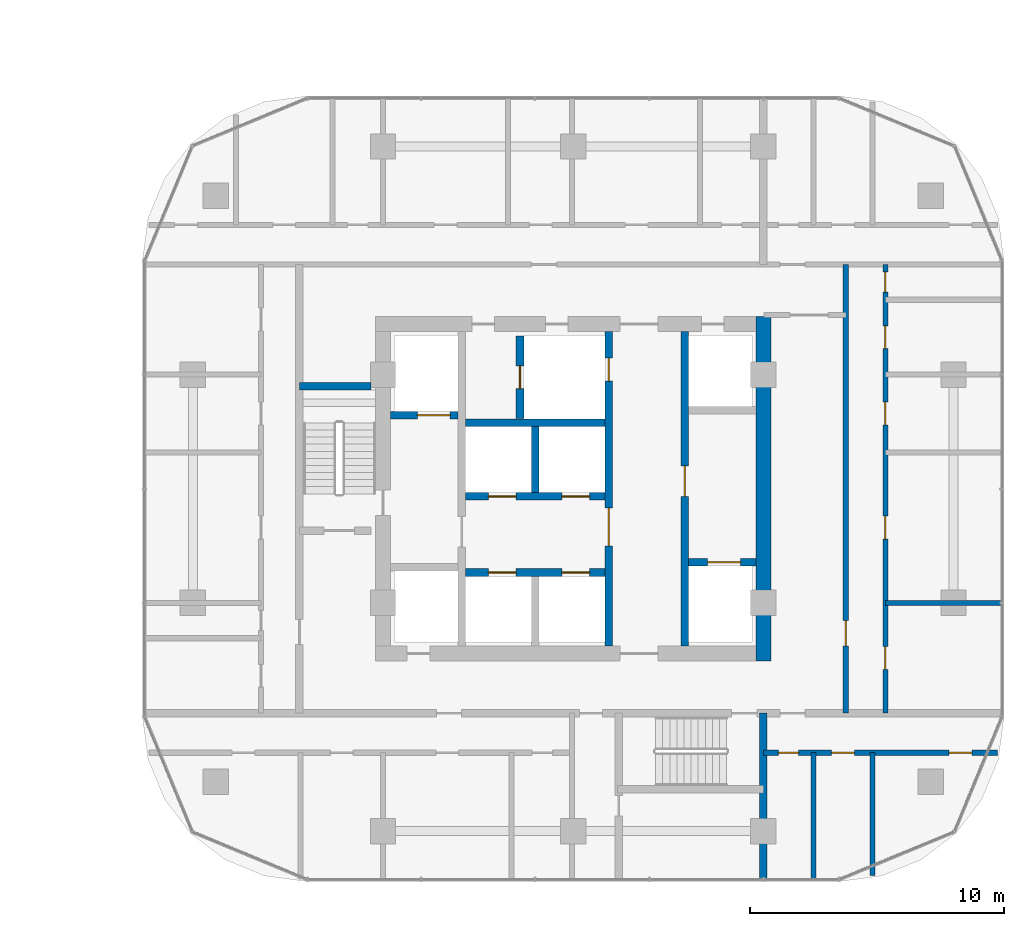
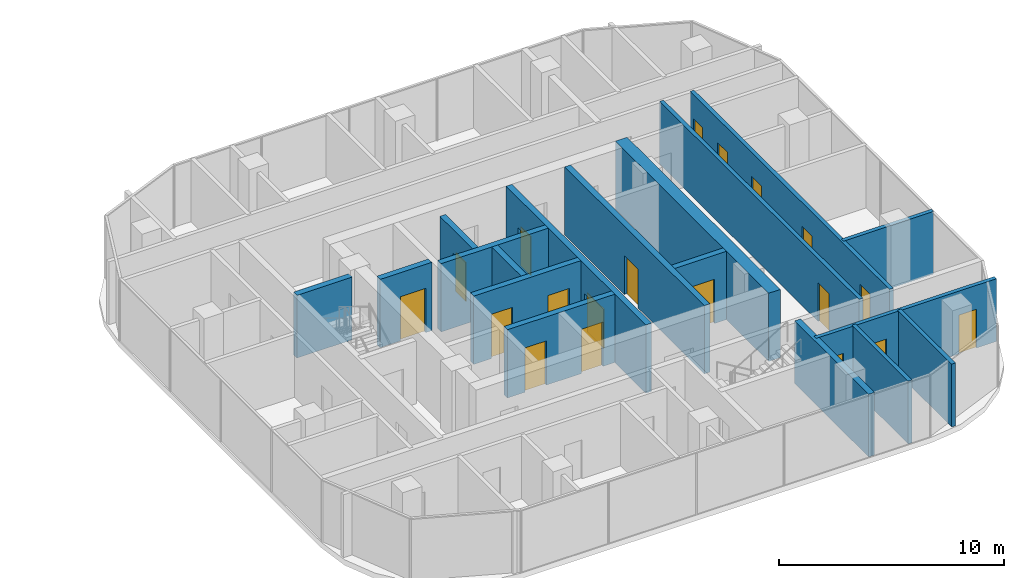
# One storey, part 22 of 32: 19 doors, 18 walls, 19 openings.
"""IFC4 building model written with IfcOpenShell, lengths in metres."""

from ifc_helpers import new_model, si_unit, direction, frame, frame_2d, origin, place, context, subcontext, project, spatial, rectangle, extrude, material, layer, layer_set, type_object, element, fill, save


model = new_model("IFC4")

# Units and contexts
model_context = context("Model", 3, precision=1e-05, world=origin(), true_north=direction((0.0, 1.0)))
body_context = subcontext(model_context, "Body", "Model", "MODEL_VIEW")
ifc_project = project(units=[si_unit("LENGTHUNIT", "METRE"), si_unit("AREAUNIT", "SQUARE_METRE"), si_unit("VOLUMEUNIT", "CUBIC_METRE"), si_unit("PLANEANGLEUNIT", "RADIAN"), si_unit("MASSUNIT", "GRAM", prefix="KILO")], contexts=[model_context])

# Site, building, storey
site_placement = place(None, origin())
site = spatial("IfcSite", under=ifc_project, at=site_placement, CompositionType="ELEMENT")
building_placement = place(site_placement, origin())
building = spatial("IfcBuilding", under=site, at=building_placement, Name="Ogive Portal Towers", CompositionType="ELEMENT")
storey_placement = place(building_placement, frame((0.0, 0.0, 55.699951171875)))
storey = spatial("IfcBuildingStorey", under=building, at=storey_placement, Name="L12", CompositionType="ELEMENT", Elevation=55.699951171875)

# Wall, openings, doors
ifc_material_1 = material(Name="Concrete C60/75", Category="concrete")
ifc_layer_1 = layer(ifc_material_1, 0.300048828125)
ifc_layer_set_1 = layer_set([ifc_layer_1], Name="CORE WALL 300 C60")
wall_type_1 = type_object("IfcWallType", Name="CORE WALL 300 C60", PredefinedType="SHEAR", material=ifc_layer_set_1)
wall_1_placement = place(storey_placement, frame((137.89990234375, 24.800048828125, 0.0), z_axis=(0.0, 0.0, 1.0), x_axis=(0.0, 1.0, 0.0)))
wall_1 = element("IfcWall", 1, at=wall_1_placement, inside=storey, type_object=wall_type_1, Name="Tower B core wall BX2 L12", PredefinedType="SHEAR", context=body_context, shape_type="SweptSolid", body=[
    extrude(rectangle(XDim=12.39990234375, YDim=0.300048828125, at=frame_2d((6.199951171875, 0.0))), origin(), (0.0, 0.0, 1.0), 3.699951171875),
])
opening_1_placement = place(wall_1_placement, frame((3.949951171875, 0.0, 0.0)))
opening_1 = element("IfcOpeningElement", 2, at=opening_1_placement, cuts=wall_1, Name="Opening B03-040", PredefinedType="OPENING", context=body_context, shape_type="SweptSolid", body=[
    extrude(rectangle(XDim=1.5, YDim=2.10009765625, at=frame_2d((0.75, 1.050048828125))), frame((0.0, 0.16015625, 0.0), z_axis=(0.0, -1.0, 0.0), x_axis=(1.0, 0.0, 0.0)), (0.0, 0.0, 1.0), 0.320068359375),
])
opening_2_placement = place(wall_1_placement, frame((10.449951171875, 0.0, 0.0)))
opening_2 = element("IfcOpeningElement", 3, at=opening_2_placement, cuts=wall_1, Name="Opening B03-056", PredefinedType="OPENING", context=body_context, shape_type="SweptSolid", body=[
    extrude(rectangle(XDim=0.89990234375, YDim=2.10009765625, at=frame_2d((0.449951171875, 1.050048828125))), frame((0.0, 0.16015625, 0.0), z_axis=(0.0, -1.0, 0.0), x_axis=(1.0, 0.0, 0.0)), (0.0, 0.0, 1.0), 0.320068359375),
])
ifc_material_2 = material(Name="Steel fire door", Category="steel")
door_type_1 = type_object("IfcDoorType", Name="DT-SWING-1500x2100-FD90S", OperationType="SINGLE_SWING_LEFT", PredefinedType="DOOR", material=ifc_material_2)
door_1_placement = place(opening_1_placement, origin())
door_1 = element("IfcDoor", 4, at=door_1_placement, inside=storey, type_object=door_type_1, Name="Door B03-040", OperationType="SINGLE_SWING_RIGHT", OverallHeight=2.10009765625, OverallWidth=1.5, PredefinedType="DOOR", context=body_context, shape_type="SweptSolid", body=[
    extrude(rectangle(XDim=1.5, YDim=2.10009765625, at=frame_2d((0.75, 1.050048828125))), frame((0.0, 0.02490234375, 0.0), z_axis=(0.0, -1.0, 0.0), x_axis=(1.0, 0.0, 0.0)), (0.0, 0.0, 1.0), 0.050048828125),
])
fill(opening_1, door_1)
door_type_2 = type_object("IfcDoorType", Name="DT-SWING-900x2100-FD90S", OperationType="SINGLE_SWING_LEFT", PredefinedType="DOOR", material=ifc_material_2)
door_2_placement = place(opening_2_placement, origin())
door_2 = element("IfcDoor", 5, at=door_2_placement, inside=storey, type_object=door_type_2, Name="Riser access door B03-056", OperationType="SINGLE_SWING_RIGHT", OverallHeight=2.10009765625, OverallWidth=0.89990234375, PredefinedType="DOOR", context=body_context, shape_type="SweptSolid", body=[
    extrude(rectangle(XDim=0.89990234375, YDim=2.10009765625, at=frame_2d((0.449951171875, 1.050048828125))), frame((0.0, 0.02490234375, 0.0), z_axis=(0.0, -1.0, 0.0), x_axis=(1.0, 0.0, 0.0)), (0.0, 0.0, 1.0), 0.050048828125),
])
fill(opening_2, door_2)

# Wall, opening, door
wall_2_placement = place(storey_placement, frame((140.89990234375, 24.800048828125, 0.0), z_axis=(0.0, 0.0, 1.0), x_axis=(0.0, 1.0, 0.0)))
wall_2 = element("IfcWall", 6, at=wall_2_placement, inside=storey, type_object=wall_type_1, Name="Tower B core wall BX3 L12", PredefinedType="SHEAR", context=body_context, shape_type="SweptSolid", body=[
    extrude(rectangle(XDim=12.39990234375, YDim=0.300048828125, at=frame_2d((6.199951171875, 0.0))), origin(), (0.0, 0.0, 1.0), 3.699951171875),
])
opening_3_placement = place(wall_2_placement, frame((5.89990234375, 0.0, 0.0)))
opening_3 = element("IfcOpeningElement", 7, at=opening_3_placement, cuts=wall_2, Name="Opening B03-042", PredefinedType="OPENING", context=body_context, shape_type="SweptSolid", body=[
    extrude(rectangle(XDim=1.199951171875, YDim=2.10009765625, at=frame_2d((0.60009765625, 1.050048828125))), frame((0.0, 0.16015625, 0.0), z_axis=(0.0, -1.0, 0.0), x_axis=(1.0, 0.0, 0.0)), (0.0, 0.0, 1.0), 0.320068359375),
])
door_type_3 = type_object("IfcDoorType", Name="DT-SWING-1200x2100-FD90S", OperationType="SINGLE_SWING_LEFT", PredefinedType="DOOR", material=ifc_material_2)
door_3_placement = place(opening_3_placement, origin())
door_3 = element("IfcDoor", 8, at=door_3_placement, inside=storey, type_object=door_type_3, Name="Door B03-042", OperationType="SINGLE_SWING_RIGHT", OverallHeight=2.10009765625, OverallWidth=1.199951171875, PredefinedType="DOOR", context=body_context, shape_type="SweptSolid", body=[
    extrude(rectangle(XDim=1.199951171875, YDim=2.10009765625, at=frame_2d((0.60009765625, 1.050048828125))), frame((0.0, 0.02490234375, 0.0), z_axis=(0.0, -1.0, 0.0), x_axis=(1.0, 0.0, 0.0)), (0.0, 0.0, 1.0), 0.050048828125),
])
fill(opening_3, door_3)

# Wall
wall_3_placement = place(storey_placement, frame((135.0, 30.85009765625, 0.0), z_axis=(0.0, 0.0, 1.0), x_axis=(0.0, 1.0, 0.0)))
element("IfcWall", 9, at=wall_3_placement, inside=storey, type_object=wall_type_1, Name="Tower B core wall BX5 L12", PredefinedType="SHEAR", context=body_context, shape_type="SweptSolid", body=[
    extrude(rectangle(XDim=2.599853515625, YDim=0.300048828125, at=frame_2d((1.2998046875, 0.0))), origin(), (0.0, 0.0, 1.0), 3.699951171875),
])

# Wall, openings, doors
wall_4_placement = place(storey_placement, frame((132.25, 27.699951171875, 0.0), z_axis=(0.0, 0.0, 1.0), x_axis=(1.0, 0.0, 0.0)))
wall_4 = element("IfcWall", 10, at=wall_4_placement, inside=storey, type_object=wall_type_1, Name="Tower B core wall BY1 L12", PredefinedType="SHEAR", context=body_context, shape_type="SweptSolid", body=[
    extrude(rectangle(XDim=5.5, YDim=0.300048828125, at=frame_2d((2.75, 0.0))), origin(), (0.0, 0.0, 1.0), 3.699951171875),
])
opening_4_placement = place(wall_4_placement, frame((0.89990234375, 0.0, 0.0)))
opening_4 = element("IfcOpeningElement", 11, at=opening_4_placement, cuts=wall_4, Name="Opening B03-048", PredefinedType="OPENING", context=body_context, shape_type="SweptSolid", body=[
    extrude(rectangle(XDim=1.10009765625, YDim=2.39990234375, at=frame_2d((0.550048828125, 1.199951171875))), frame((0.0, 0.16015625, 0.0), z_axis=(0.0, -1.0, 0.0), x_axis=(1.0, 0.0, 0.0)), (0.0, 0.0, 1.0), 0.320068359375),
])
opening_5_placement = place(wall_4_placement, frame((3.800048828125, 0.0, 0.0)))
opening_5 = element("IfcOpeningElement", 12, at=opening_5_placement, cuts=wall_4, Name="Opening B03-049", PredefinedType="OPENING", context=body_context, shape_type="SweptSolid", body=[
    extrude(rectangle(XDim=1.10009765625, YDim=2.39990234375, at=frame_2d((0.550048828125, 1.199951171875))), frame((0.0, 0.16015625, 0.0), z_axis=(0.0, -1.0, 0.0), x_axis=(1.0, 0.0, 0.0)), (0.0, 0.0, 1.0), 0.320068359375),
])
ifc_material_3 = material(Name="Stainless steel", Category="steel")
door_type_4 = type_object("IfcDoorType", Name="DT-LD-1100x2400", OperationType="SLIDING_TO_LEFT", PredefinedType="DOOR", material=ifc_material_3)
door_4_placement = place(opening_4_placement, origin())
door_4 = element("IfcDoor", 13, at=door_4_placement, inside=storey, type_object=door_type_4, Name="Door B03-048", OperationType="SLIDING_TO_LEFT", OverallHeight=2.39990234375, OverallWidth=1.10009765625, PredefinedType="DOOR", context=body_context, shape_type="SweptSolid", body=[
    extrude(rectangle(XDim=1.10009765625, YDim=2.39990234375, at=frame_2d((0.550048828125, 1.199951171875))), frame((0.0, 0.02490234375, 0.0), z_axis=(0.0, -1.0, 0.0), x_axis=(1.0, 0.0, 0.0)), (0.0, 0.0, 1.0), 0.050048828125),
])
fill(opening_4, door_4)
door_5_placement = place(opening_5_placement, origin())
door_5 = element("IfcDoor", 14, at=door_5_placement, inside=storey, type_object=door_type_4, Name="Door B03-049", OperationType="SLIDING_TO_LEFT", OverallHeight=2.39990234375, OverallWidth=1.10009765625, PredefinedType="DOOR", context=body_context, shape_type="SweptSolid", body=[
    extrude(rectangle(XDim=1.10009765625, YDim=2.39990234375, at=frame_2d((0.550048828125, 1.199951171875))), frame((0.0, 0.02490234375, 0.0), z_axis=(0.0, -1.0, 0.0), x_axis=(1.0, 0.0, 0.0)), (0.0, 0.0, 1.0), 0.050048828125),
])
fill(opening_5, door_5)

wall_5_placement = place(storey_placement, frame((132.25, 30.699951171875, 0.0), z_axis=(0.0, 0.0, 1.0), x_axis=(1.0, 0.0, 0.0)))
wall_5 = element("IfcWall", 15, at=wall_5_placement, inside=storey, type_object=wall_type_1, Name="Tower B core wall BY2 L12", PredefinedType="SHEAR", context=body_context, shape_type="SweptSolid", body=[
    extrude(rectangle(XDim=5.5, YDim=0.300048828125, at=frame_2d((2.75, 0.0))), origin(), (0.0, 0.0, 1.0), 3.699951171875),
])
opening_6_placement = place(wall_5_placement, frame((0.89990234375, 0.0, 0.0)))
opening_6 = element("IfcOpeningElement", 16, at=opening_6_placement, cuts=wall_5, Name="Opening B03-050", PredefinedType="OPENING", context=body_context, shape_type="SweptSolid", body=[
    extrude(rectangle(XDim=1.10009765625, YDim=2.39990234375, at=frame_2d((0.550048828125, 1.199951171875))), frame((0.0, 0.16015625, 0.0), z_axis=(0.0, -1.0, 0.0), x_axis=(1.0, 0.0, 0.0)), (0.0, 0.0, 1.0), 0.320068359375),
])
opening_7_placement = place(wall_5_placement, frame((3.800048828125, 0.0, 0.0)))
opening_7 = element("IfcOpeningElement", 17, at=opening_7_placement, cuts=wall_5, Name="Opening B03-051", PredefinedType="OPENING", context=body_context, shape_type="SweptSolid", body=[
    extrude(rectangle(XDim=1.10009765625, YDim=2.39990234375, at=frame_2d((0.550048828125, 1.199951171875))), frame((0.0, 0.16015625, 0.0), z_axis=(0.0, -1.0, 0.0), x_axis=(1.0, 0.0, 0.0)), (0.0, 0.0, 1.0), 0.320068359375),
])
door_6_placement = place(opening_6_placement, origin())
door_6 = element("IfcDoor", 18, at=door_6_placement, inside=storey, type_object=door_type_4, Name="Door B03-050", OperationType="SLIDING_TO_LEFT", OverallHeight=2.39990234375, OverallWidth=1.10009765625, PredefinedType="DOOR", context=body_context, shape_type="SweptSolid", body=[
    extrude(rectangle(XDim=1.10009765625, YDim=2.39990234375, at=frame_2d((0.550048828125, 1.199951171875))), frame((0.0, 0.02490234375, 0.0), z_axis=(0.0, -1.0, 0.0), x_axis=(1.0, 0.0, 0.0)), (0.0, 0.0, 1.0), 0.050048828125),
])
fill(opening_6, door_6)
door_7_placement = place(opening_7_placement, origin())
door_7 = element("IfcDoor", 19, at=door_7_placement, inside=storey, type_object=door_type_4, Name="Door B03-051", OperationType="SLIDING_TO_LEFT", OverallHeight=2.39990234375, OverallWidth=1.10009765625, PredefinedType="DOOR", context=body_context, shape_type="SweptSolid", body=[
    extrude(rectangle(XDim=1.10009765625, YDim=2.39990234375, at=frame_2d((0.550048828125, 1.199951171875))), frame((0.0, 0.02490234375, 0.0), z_axis=(0.0, -1.0, 0.0), x_axis=(1.0, 0.0, 0.0)), (0.0, 0.0, 1.0), 0.050048828125),
])
fill(opening_7, door_7)

# Wall
wall_6_placement = place(storey_placement, frame((132.25, 33.60009765625, 0.0), z_axis=(0.0, 0.0, 1.0), x_axis=(1.0, 0.0, 0.0)))
element("IfcWall", 20, at=wall_6_placement, inside=storey, type_object=wall_type_1, Name="Tower B core wall BY3 L12", PredefinedType="SHEAR", context=body_context, shape_type="SweptSolid", body=[
    extrude(rectangle(XDim=5.5, YDim=0.300048828125, at=frame_2d((2.75, 0.0))), origin(), (0.0, 0.0, 1.0), 3.699951171875),
])

# Wall, opening, door
wall_7_placement = place(storey_placement, frame((129.300048828125, 33.89990234375, 0.0), z_axis=(0.0, 0.0, 1.0), x_axis=(1.0, 0.0, 0.0)))
wall_7 = element("IfcWall", 21, at=wall_7_placement, inside=storey, type_object=wall_type_1, Name="Tower B core wall BY5 L12", PredefinedType="SHEAR", context=body_context, shape_type="SweptSolid", body=[
    extrude(rectangle(XDim=2.64990234375, YDim=0.300048828125, at=frame_2d((1.324951171875, 0.0))), origin(), (0.0, 0.0, 1.0), 3.699951171875),
])
opening_8_placement = place(wall_7_placement, frame((1.050048828125, 0.0, 0.0)))
opening_8 = element("IfcOpeningElement", 22, at=opening_8_placement, cuts=wall_7, Name="Opening B03-052", PredefinedType="OPENING", context=body_context, shape_type="SweptSolid", body=[
    extrude(rectangle(XDim=1.300048828125, YDim=2.39990234375, at=frame_2d((0.64990234375, 1.199951171875))), frame((0.0, 0.16015625, 0.0), z_axis=(0.0, -1.0, 0.0), x_axis=(1.0, 0.0, 0.0)), (0.0, 0.0, 1.0), 0.320068359375),
])
door_type_5 = type_object("IfcDoorType", Name="DT-LD-1300x2400", OperationType="SLIDING_TO_LEFT", PredefinedType="DOOR", material=ifc_material_3)
door_8_placement = place(opening_8_placement, origin())
door_8 = element("IfcDoor", 23, at=door_8_placement, inside=storey, type_object=door_type_5, Name="Door B03-052", OperationType="SLIDING_TO_LEFT", OverallHeight=2.39990234375, OverallWidth=1.300048828125, PredefinedType="DOOR", context=body_context, shape_type="SweptSolid", body=[
    extrude(rectangle(XDim=1.300048828125, YDim=2.39990234375, at=frame_2d((0.64990234375, 1.199951171875))), frame((0.0, 0.02490234375, 0.0), z_axis=(0.0, -1.0, 0.0), x_axis=(1.0, 0.0, 0.0)), (0.0, 0.0, 1.0), 0.050048828125),
])
fill(opening_8, door_8)

wall_8_placement = place(storey_placement, frame((141.050048828125, 28.10009765625, 0.0), z_axis=(0.0, 0.0, 1.0), x_axis=(1.0, 0.0, 0.0)))
wall_8 = element("IfcWall", 24, at=wall_8_placement, inside=storey, type_object=wall_type_1, Name="Tower B core wall BY6 L12", PredefinedType="SHEAR", context=body_context, shape_type="SweptSolid", body=[
    extrude(rectangle(XDim=2.64990234375, YDim=0.300048828125, at=frame_2d((1.324951171875, 0.0))), origin(), (0.0, 0.0, 1.0), 3.699951171875),
])
opening_9_placement = place(wall_8_placement, frame((0.75, 0.0, 0.0)))
opening_9 = element("IfcOpeningElement", 25, at=opening_9_placement, cuts=wall_8, Name="Opening B03-053", PredefinedType="OPENING", context=body_context, shape_type="SweptSolid", body=[
    extrude(rectangle(XDim=1.300048828125, YDim=2.39990234375, at=frame_2d((0.64990234375, 1.199951171875))), frame((0.0, 0.16015625, 0.0), z_axis=(0.0, -1.0, 0.0), x_axis=(1.0, 0.0, 0.0)), (0.0, 0.0, 1.0), 0.320068359375),
])
door_9_placement = place(opening_9_placement, origin())
door_9 = element("IfcDoor", 26, at=door_9_placement, inside=storey, type_object=door_type_5, Name="Door B03-053", OperationType="SLIDING_TO_LEFT", OverallHeight=2.39990234375, OverallWidth=1.300048828125, PredefinedType="DOOR", context=body_context, shape_type="SweptSolid", body=[
    extrude(rectangle(XDim=1.300048828125, YDim=2.39990234375, at=frame_2d((0.64990234375, 1.199951171875))), frame((0.0, 0.02490234375, 0.0), z_axis=(0.0, -1.0, 0.0), x_axis=(1.0, 0.0, 0.0)), (0.0, 0.0, 1.0), 0.050048828125),
])
fill(opening_9, door_9)

# Walls
ifc_layer_2 = layer(ifc_material_1, 0.60009765625)
ifc_layer_set_2 = layer_set([ifc_layer_2], Name="CORE WALL 600 C60")
wall_type_2 = type_object("IfcWallType", Name="CORE WALL 600 C60", PredefinedType="SHEAR", material=ifc_layer_set_2)
wall_9_placement = place(storey_placement, frame((144.0, 24.199951171875, 0.0), z_axis=(0.0, 0.0, 1.0), x_axis=(0.0, 1.0, 0.0)))
element("IfcWall", 27, at=wall_9_placement, inside=storey, type_object=wall_type_2, Name="Tower B core wall BE L12", PredefinedType="SHEAR", context=body_context, shape_type="SweptSolid", body=[
    extrude(rectangle(XDim=13.60009765625, YDim=0.60009765625, at=frame_2d((6.800048828125, 0.0))), origin(), (0.0, 0.0, 1.0), 3.699951171875),
])
ifc_material_4 = material(Name="Concrete C50/60", Category="concrete")
ifc_layer_3 = layer(ifc_material_4, 0.300048828125)
ifc_layer_set_3 = layer_set([ifc_layer_3], Name="STAIR WALL 300 C50")
wall_type_3 = type_object("IfcWallType", Name="STAIR WALL 300 C50", PredefinedType="SHEAR", material=ifc_layer_set_3)
wall_10_placement = place(storey_placement, frame((125.699951171875, 35.050048828125, 0.0), z_axis=(0.0, 0.0, 1.0), x_axis=(1.0, 0.0, 0.0)))
element("IfcWall", 28, at=wall_10_placement, inside=storey, type_object=wall_type_3, Name="Stair wall ST-B1 L12", PredefinedType="SHEAR", context=body_context, shape_type="SweptSolid", body=[
    extrude(rectangle(XDim=2.830078125, YDim=0.300048828125, at=frame_2d((1.4150390625, 0.0))), origin(), (0.0, 0.0, 1.0), 3.400146484375),
])
wall_11_placement = place(storey_placement, frame((144.0, 15.580078125, 0.0), z_axis=(0.0, 0.0, 1.0), x_axis=(0.0, 1.0, 0.0)))
element("IfcWall", 29, at=wall_11_placement, inside=storey, type_object=wall_type_3, Name="Stair wall ST-B2 L12", PredefinedType="SHEAR", context=body_context, shape_type="SweptSolid", body=[
    extrude(rectangle(XDim=6.56982421875, YDim=0.300048828125, at=frame_2d((3.284912109375, 0.0))), origin(), (0.0, 0.0, 1.0), 3.400146484375),
])

# Wall, openings, doors
ifc_material_5 = material(Name="Gypsum board partition on steel studs", Category="steel")
ifc_layer_4 = layer(ifc_material_5, 0.199951171875)
ifc_layer_set_4 = layer_set([ifc_layer_4], Name="WT-PART-200-EI 60")
wall_type_4 = type_object("IfcWallType", Name="WT-PART-200-EI 60", PredefinedType="PARTITIONING", material=ifc_layer_set_4)
wall_12_placement = place(storey_placement, frame((144.0, 20.590087890625, 0.0), z_axis=(0.0, 0.0, 1.0), x_axis=(1.0, 0.0, 0.0)))
wall_12 = element("IfcWall", 30, at=wall_12_placement, inside=storey, type_object=wall_type_4, Name="Wall L12:w003", PredefinedType="PARTITIONING", context=body_context, shape_type="SweptSolid", body=[
    extrude(rectangle(XDim=9.23388671875, YDim=0.199951171875, at=frame_2d((4.616943359375, 0.0))), origin(), (0.0, 0.0, 1.0), 3.400146484375),
])
opening_10_placement = place(wall_12_placement, frame((0.5869140625, 0.0, 0.0)))
opening_10 = element("IfcOpeningElement", 31, at=opening_10_placement, cuts=wall_12, Name="Opening B03-023", PredefinedType="OPENING", context=body_context, shape_type="SweptSolid", body=[
    extrude(rectangle(XDim=0.800048828125, YDim=2.10009765625, at=frame_2d((0.39990234375, 1.050048828125))), frame((0.0, 0.10986328125, 0.0), z_axis=(0.0, -1.0, 0.0), x_axis=(1.0, 0.0, 0.0)), (0.0, 0.0, 1.0), 0.219970703125),
])
opening_11_placement = place(wall_12_placement, frame((2.68896484375, 0.0, 0.0)))
opening_11 = element("IfcOpeningElement", 32, at=opening_11_placement, cuts=wall_12, Name="Opening B03-024", PredefinedType="OPENING", context=body_context, shape_type="SweptSolid", body=[
    extrude(rectangle(XDim=0.89990234375, YDim=2.10009765625, at=frame_2d((0.449951171875, 1.050048828125))), frame((0.0, 0.10986328125, 0.0), z_axis=(0.0, -1.0, 0.0), x_axis=(1.0, 0.0, 0.0)), (0.0, 0.0, 1.0), 0.219970703125),
])
opening_12_placement = place(wall_12_placement, frame((7.322021484375, 0.0, 0.0)))
opening_12 = element("IfcOpeningElement", 33, at=opening_12_placement, cuts=wall_12, Name="Opening B03-025", PredefinedType="OPENING", context=body_context, shape_type="SweptSolid", body=[
    extrude(rectangle(XDim=0.89990234375, YDim=2.10009765625, at=frame_2d((0.449951171875, 1.050048828125))), frame((0.0, 0.10986328125, 0.0), z_axis=(0.0, -1.0, 0.0), x_axis=(1.0, 0.0, 0.0)), (0.0, 0.0, 1.0), 0.219970703125),
])
door_type_6 = type_object("IfcDoorType", Name="DT-SWING-800x2100-FD60S", OperationType="SINGLE_SWING_LEFT", PredefinedType="DOOR", material=ifc_material_2)
door_10_placement = place(opening_10_placement, origin())
door_10 = element("IfcDoor", 34, at=door_10_placement, inside=storey, type_object=door_type_6, Name="Door B03-023", OperationType="SINGLE_SWING_LEFT", OverallHeight=2.10009765625, OverallWidth=0.800048828125, PredefinedType="DOOR", context=body_context, shape_type="SweptSolid", body=[
    extrude(rectangle(XDim=0.800048828125, YDim=2.10009765625, at=frame_2d((0.39990234375, 1.050048828125))), frame((0.0, 0.02490234375, 0.0), z_axis=(0.0, -1.0, 0.0), x_axis=(1.0, 0.0, 0.0)), (0.0, 0.0, 1.0), 0.050048828125),
])
fill(opening_10, door_10)
door_type_7 = type_object("IfcDoorType", Name="DT-SWING-900x2100-FD60S", OperationType="SINGLE_SWING_LEFT", PredefinedType="DOOR", material=ifc_material_2)
door_11_placement = place(opening_11_placement, origin())
door_11 = element("IfcDoor", 35, at=door_11_placement, inside=storey, type_object=door_type_7, Name="Door B03-024", OperationType="SINGLE_SWING_RIGHT", OverallHeight=2.10009765625, OverallWidth=0.89990234375, PredefinedType="DOOR", context=body_context, shape_type="SweptSolid", body=[
    extrude(rectangle(XDim=0.89990234375, YDim=2.10009765625, at=frame_2d((0.449951171875, 1.050048828125))), frame((0.0, 0.02490234375, 0.0), z_axis=(0.0, -1.0, 0.0), x_axis=(1.0, 0.0, 0.0)), (0.0, 0.0, 1.0), 0.050048828125),
])
fill(opening_11, door_11)
door_12_placement = place(opening_12_placement, origin())
door_12 = element("IfcDoor", 36, at=door_12_placement, inside=storey, type_object=door_type_7, Name="Door B03-025", OperationType="SINGLE_SWING_LEFT", OverallHeight=2.10009765625, OverallWidth=0.89990234375, PredefinedType="DOOR", context=body_context, shape_type="SweptSolid", body=[
    extrude(rectangle(XDim=0.89990234375, YDim=2.10009765625, at=frame_2d((0.449951171875, 1.050048828125))), frame((0.0, 0.02490234375, 0.0), z_axis=(0.0, -1.0, 0.0), x_axis=(1.0, 0.0, 0.0)), (0.0, 0.0, 1.0), 0.050048828125),
])
fill(opening_12, door_12)

# Walls
wall_13_placement = place(storey_placement, frame((148.81005859375, 26.5, 0.0), z_axis=(0.0, 0.0, 1.0), x_axis=(1.0, 0.0, 0.0)))
element("IfcWall", 37, at=wall_13_placement, inside=storey, type_object=wall_type_4, Name="Wall L12:w009", PredefinedType="PARTITIONING", context=body_context, shape_type="SweptSolid", body=[
    extrude(rectangle(XDim=4.60986328125, YDim=0.199951171875, at=frame_2d((2.304931640625, 0.0))), origin(), (0.0, 0.0, 1.0), 3.400146484375),
])
wall_14_placement = place(storey_placement, frame((145.97412109375, 15.580078125, 0.0), z_axis=(0.0, 0.0, 1.0), x_axis=(0.0, 1.0, 0.0)))
element("IfcWall", 38, at=wall_14_placement, inside=storey, type_object=wall_type_4, Name="Wall L12:w041", PredefinedType="PARTITIONING", context=body_context, shape_type="SweptSolid", body=[
    extrude(rectangle(XDim=5.010009765625, YDim=0.199951171875, at=frame_2d((2.5048828125, 0.0))), origin(), (0.0, 0.0, 1.0), 3.400146484375),
])

# Wall, opening, door
wall_15_placement = place(storey_placement, frame((147.25, 22.14990234375, 0.0), z_axis=(0.0, 0.0, 1.0), x_axis=(0.0, 1.0, 0.0)))
wall_15 = element("IfcWall", 39, at=wall_15_placement, inside=storey, type_object=wall_type_4, Name="Wall L12:w043", PredefinedType="PARTITIONING", context=body_context, shape_type="SweptSolid", body=[
    extrude(rectangle(XDim=17.7001953125, YDim=0.199951171875, at=frame_2d((8.85009765625, 0.0))), origin(), (0.0, 0.0, 1.0), 3.400146484375),
])
opening_13_placement = place(wall_15_placement, frame((2.64990234375, 0.0, 0.0)))
opening_13 = element("IfcOpeningElement", 40, at=opening_13_placement, cuts=wall_15, Name="Opening B03-034", PredefinedType="OPENING", context=body_context, shape_type="SweptSolid", body=[
    extrude(rectangle(XDim=1.0, YDim=2.10009765625, at=frame_2d((0.5, 1.050048828125))), frame((0.0, 0.10986328125, 0.0), z_axis=(0.0, -1.0, 0.0), x_axis=(1.0, 0.0, 0.0)), (0.0, 0.0, 1.0), 0.219970703125),
])
door_type_8 = type_object("IfcDoorType", Name="DT-SWING-1000x2100-FD60S", OperationType="SINGLE_SWING_LEFT", PredefinedType="DOOR", material=ifc_material_2)
door_13_placement = place(opening_13_placement, origin())
door_13 = element("IfcDoor", 41, at=door_13_placement, inside=storey, type_object=door_type_8, Name="Door B03-034", OperationType="SINGLE_SWING_RIGHT", OverallHeight=2.10009765625, OverallWidth=1.0, PredefinedType="DOOR", context=body_context, shape_type="SweptSolid", body=[
    extrude(rectangle(XDim=1.0, YDim=2.10009765625, at=frame_2d((0.5, 1.050048828125))), frame((0.0, 0.02490234375, 0.0), z_axis=(0.0, -1.0, 0.0), x_axis=(1.0, 0.0, 0.0)), (0.0, 0.0, 1.0), 0.050048828125),
])
fill(opening_13, door_13)

# Wall
wall_16_placement = place(storey_placement, frame((148.303955078125, 15.751953125, 0.0), z_axis=(0.0, 0.0, 1.0), x_axis=(0.0, 1.0, 0.0)))
element("IfcWall", 42, at=wall_16_placement, inside=storey, type_object=wall_type_4, Name="Wall L12:w044", PredefinedType="PARTITIONING", context=body_context, shape_type="SweptSolid", body=[
    extrude(rectangle(XDim=4.838134765625, YDim=0.199951171875, at=frame_2d((2.4189453125, 0.0))), origin(), (0.0, 0.0, 1.0), 3.400146484375),
])

# Wall, openings, doors
wall_17_placement = place(storey_placement, frame((148.81005859375, 22.14990234375, 0.0), z_axis=(0.0, 0.0, 1.0), x_axis=(0.0, 1.0, 0.0)))
wall_17 = element("IfcWall", 43, at=wall_17_placement, inside=storey, type_object=wall_type_4, Name="Wall L12:w046", PredefinedType="PARTITIONING", context=body_context, shape_type="SweptSolid", body=[
    extrude(rectangle(XDim=17.7001953125, YDim=0.199951171875, at=frame_2d((8.85009765625, 0.0))), origin(), (0.0, 0.0, 1.0), 3.400146484375),
])
opening_14_placement = place(wall_17_placement, frame((1.72509765625, 0.0, 0.0)))
opening_14 = element("IfcOpeningElement", 44, at=opening_14_placement, cuts=wall_17, Name="Opening B03-035", PredefinedType="OPENING", context=body_context, shape_type="SweptSolid", body=[
    extrude(rectangle(XDim=0.89990234375, YDim=2.10009765625, at=frame_2d((0.449951171875, 1.050048828125))), frame((0.0, 0.10986328125, 0.0), z_axis=(0.0, -1.0, 0.0), x_axis=(1.0, 0.0, 0.0)), (0.0, 0.0, 1.0), 0.219970703125),
])
opening_15_placement = place(wall_17_placement, frame((6.866943359375, 0.0, 0.0)))
opening_15 = element("IfcOpeningElement", 45, at=opening_15_placement, cuts=wall_17, Name="Opening B03-036", PredefinedType="OPENING", context=body_context, shape_type="SweptSolid", body=[
    extrude(rectangle(XDim=0.89990234375, YDim=2.10009765625, at=frame_2d((0.449951171875, 1.050048828125))), frame((0.0, 0.10986328125, 0.0), z_axis=(0.0, -1.0, 0.0), x_axis=(1.0, 0.0, 0.0)), (0.0, 0.0, 1.0), 0.219970703125),
])
opening_16_placement = place(wall_17_placement, frame((11.366943359375, 0.0, 0.0)))
opening_16 = element("IfcOpeningElement", 46, at=opening_16_placement, cuts=wall_17, Name="Opening B03-037", PredefinedType="OPENING", context=body_context, shape_type="SweptSolid", body=[
    extrude(rectangle(XDim=0.89990234375, YDim=2.10009765625, at=frame_2d((0.449951171875, 1.050048828125))), frame((0.0, 0.10986328125, 0.0), z_axis=(0.0, -1.0, 0.0), x_axis=(1.0, 0.0, 0.0)), (0.0, 0.0, 1.0), 0.219970703125),
])
opening_17_placement = place(wall_17_placement, frame((14.3779296875, 0.0, 0.0)))
opening_17 = element("IfcOpeningElement", 47, at=opening_17_placement, cuts=wall_17, Name="Opening B03-038", PredefinedType="OPENING", context=body_context, shape_type="SweptSolid", body=[
    extrude(rectangle(XDim=0.89990234375, YDim=2.10009765625, at=frame_2d((0.449951171875, 1.050048828125))), frame((0.0, 0.10986328125, 0.0), z_axis=(0.0, -1.0, 0.0), x_axis=(1.0, 0.0, 0.0)), (0.0, 0.0, 1.0), 0.219970703125),
])
opening_18_placement = place(wall_17_placement, frame((16.60302734375, 0.0, 0.0)))
opening_18 = element("IfcOpeningElement", 48, at=opening_18_placement, cuts=wall_17, Name="Opening B03-039", PredefinedType="OPENING", context=body_context, shape_type="SweptSolid", body=[
    extrude(rectangle(XDim=0.800048828125, YDim=2.10009765625, at=frame_2d((0.39990234375, 1.050048828125))), frame((0.0, 0.10986328125, 0.0), z_axis=(0.0, -1.0, 0.0), x_axis=(1.0, 0.0, 0.0)), (0.0, 0.0, 1.0), 0.219970703125),
])
door_14_placement = place(opening_18_placement, origin())
door_14 = element("IfcDoor", 49, at=door_14_placement, inside=storey, type_object=door_type_6, Name="Door B03-039", OperationType="SINGLE_SWING_LEFT", OverallHeight=2.10009765625, OverallWidth=0.800048828125, PredefinedType="DOOR", context=body_context, shape_type="SweptSolid", body=[
    extrude(rectangle(XDim=0.800048828125, YDim=2.10009765625, at=frame_2d((0.39990234375, 1.050048828125))), frame((0.0, 0.02490234375, 0.0), z_axis=(0.0, -1.0, 0.0), x_axis=(1.0, 0.0, 0.0)), (0.0, 0.0, 1.0), 0.050048828125),
])
fill(opening_18, door_14)
door_15_placement = place(opening_14_placement, origin())
door_15 = element("IfcDoor", 50, at=door_15_placement, inside=storey, type_object=door_type_7, Name="Door B03-035", OperationType="SINGLE_SWING_LEFT", OverallHeight=2.10009765625, OverallWidth=0.89990234375, PredefinedType="DOOR", context=body_context, shape_type="SweptSolid", body=[
    extrude(rectangle(XDim=0.89990234375, YDim=2.10009765625, at=frame_2d((0.449951171875, 1.050048828125))), frame((0.0, 0.02490234375, 0.0), z_axis=(0.0, -1.0, 0.0), x_axis=(1.0, 0.0, 0.0)), (0.0, 0.0, 1.0), 0.050048828125),
])
fill(opening_14, door_15)
door_16_placement = place(opening_15_placement, origin())
door_16 = element("IfcDoor", 51, at=door_16_placement, inside=storey, type_object=door_type_7, Name="Door B03-036", OperationType="SINGLE_SWING_RIGHT", OverallHeight=2.10009765625, OverallWidth=0.89990234375, PredefinedType="DOOR", context=body_context, shape_type="SweptSolid", body=[
    extrude(rectangle(XDim=0.89990234375, YDim=2.10009765625, at=frame_2d((0.449951171875, 1.050048828125))), frame((0.0, 0.02490234375, 0.0), z_axis=(0.0, -1.0, 0.0), x_axis=(1.0, 0.0, 0.0)), (0.0, 0.0, 1.0), 0.050048828125),
])
fill(opening_15, door_16)
door_17_placement = place(opening_16_placement, origin())
door_17 = element("IfcDoor", 52, at=door_17_placement, inside=storey, type_object=door_type_7, Name="Door B03-037", OperationType="SINGLE_SWING_LEFT", OverallHeight=2.10009765625, OverallWidth=0.89990234375, PredefinedType="DOOR", context=body_context, shape_type="SweptSolid", body=[
    extrude(rectangle(XDim=0.89990234375, YDim=2.10009765625, at=frame_2d((0.449951171875, 1.050048828125))), frame((0.0, 0.02490234375, 0.0), z_axis=(0.0, -1.0, 0.0), x_axis=(1.0, 0.0, 0.0)), (0.0, 0.0, 1.0), 0.050048828125),
])
fill(opening_16, door_17)
door_18_placement = place(opening_17_placement, origin())
door_18 = element("IfcDoor", 53, at=door_18_placement, inside=storey, type_object=door_type_7, Name="Door B03-038", OperationType="SINGLE_SWING_RIGHT", OverallHeight=2.10009765625, OverallWidth=0.89990234375, PredefinedType="DOOR", context=body_context, shape_type="SweptSolid", body=[
    extrude(rectangle(XDim=0.89990234375, YDim=2.10009765625, at=frame_2d((0.449951171875, 1.050048828125))), frame((0.0, 0.02490234375, 0.0), z_axis=(0.0, -1.0, 0.0), x_axis=(1.0, 0.0, 0.0)), (0.0, 0.0, 1.0), 0.050048828125),
])
fill(opening_17, door_18)

# Wall, opening, door
ifc_layer_5 = layer(ifc_material_5, 0.300048828125)
ifc_layer_set_5 = layer_set([ifc_layer_5], Name="WT-PART-300-EI 60")
wall_type_5 = type_object("IfcWallType", Name="WT-PART-300-EI 60", PredefinedType="PARTITIONING", material=ifc_layer_set_5)
wall_18_placement = place(storey_placement, frame((134.39990234375, 33.77001953125, 0.0), z_axis=(0.0, 0.0, 1.0), x_axis=(0.0, 1.0, 0.0)))
wall_18 = element("IfcWall", 54, at=wall_18_placement, inside=storey, type_object=wall_type_5, Name="Wall L12:w032", PredefinedType="PARTITIONING", context=body_context, shape_type="SweptSolid", body=[
    extrude(rectangle(XDim=3.260009765625, YDim=0.300048828125, at=frame_2d((1.6298828125, 0.0))), origin(), (0.0, 0.0, 1.0), 3.400146484375),
])
opening_19_placement = place(wall_18_placement, frame((1.179931640625, 0.0, 0.0)))
opening_19 = element("IfcOpeningElement", 55, at=opening_19_placement, cuts=wall_18, Name="Opening B03-004", PredefinedType="OPENING", context=body_context, shape_type="SweptSolid", body=[
    extrude(rectangle(XDim=0.89990234375, YDim=2.10009765625, at=frame_2d((0.449951171875, 1.050048828125))), frame((0.0, 0.16015625, 0.0), z_axis=(0.0, -1.0, 0.0), x_axis=(1.0, 0.0, 0.0)), (0.0, 0.0, 1.0), 0.320068359375),
])
door_19_placement = place(opening_19_placement, origin())
door_19 = element("IfcDoor", 56, at=door_19_placement, inside=storey, type_object=door_type_7, Name="Riser access door B03-004", OperationType="SINGLE_SWING_RIGHT", OverallHeight=2.10009765625, OverallWidth=0.89990234375, PredefinedType="DOOR", context=body_context, shape_type="SweptSolid", body=[
    extrude(rectangle(XDim=0.89990234375, YDim=2.10009765625, at=frame_2d((0.449951171875, 1.050048828125))), frame((0.0, 0.02490234375, 0.0), z_axis=(0.0, -1.0, 0.0), x_axis=(1.0, 0.0, 0.0)), (0.0, 0.0, 1.0), 0.050048828125),
])
fill(opening_19, door_19)

save(model, "model.ifc")
